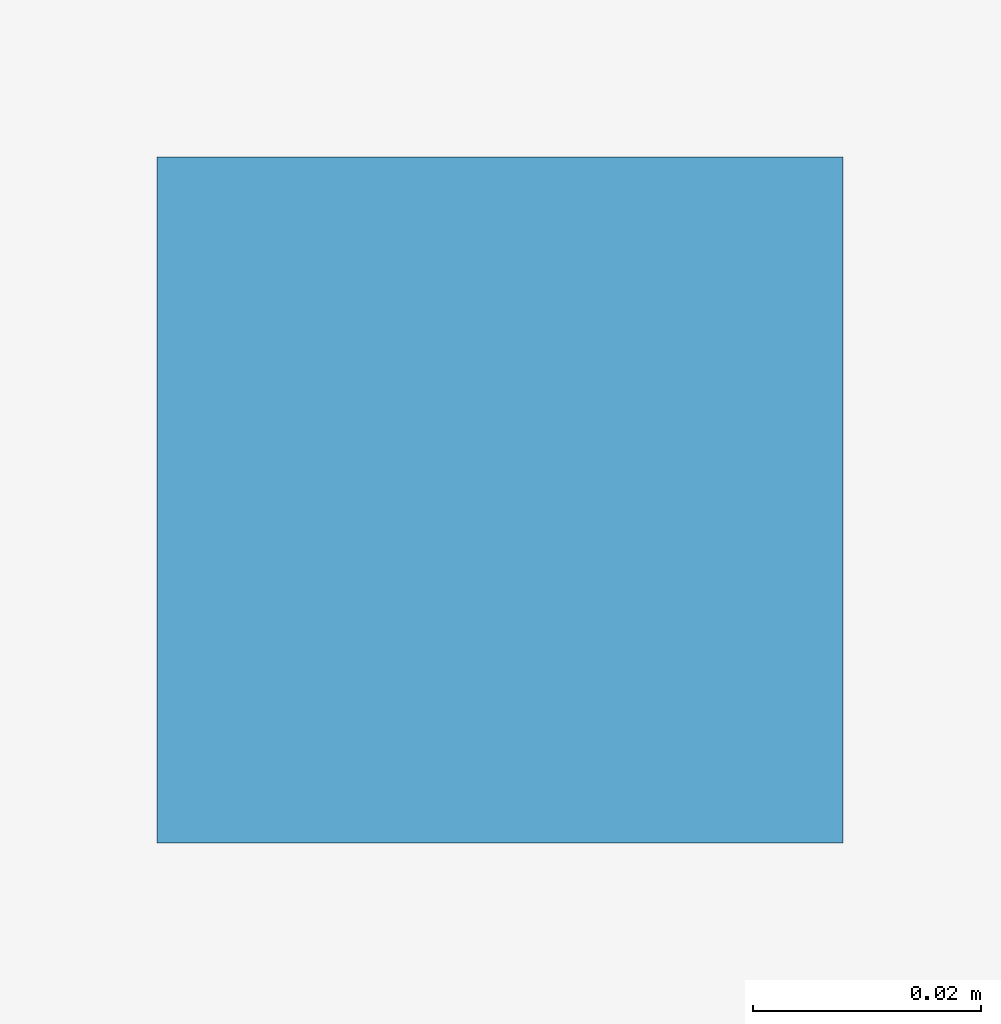
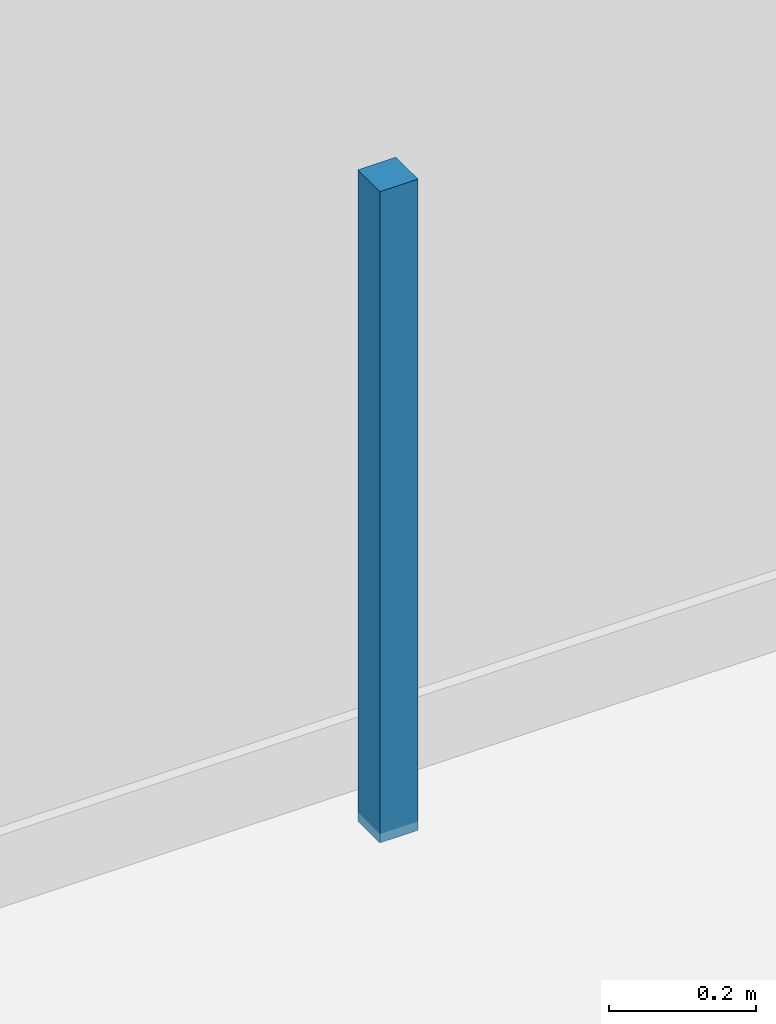
# One storey, part 78 of 91: 1 discrete accessory.
"""IFC4 building model written with IfcOpenShell, lengths in metres."""

from ifc_helpers import new_model, si_unit, direction, frame, origin, origin_2d, place, context, subcontext, project, spatial, rectangle, extrude, material, type_object, element, save


model = new_model("IFC4")

# Units and contexts
model_context = context("Model", 3, precision=1e-05, world=origin(), true_north=direction((0.0, 1.0)))
body_context = subcontext(model_context, "Body", "Model", "MODEL_VIEW")
ifc_project = project(units=[si_unit("LENGTHUNIT", "METRE"), si_unit("AREAUNIT", "SQUARE_METRE"), si_unit("VOLUMEUNIT", "CUBIC_METRE"), si_unit("PLANEANGLEUNIT", "RADIAN"), si_unit("MASSUNIT", "GRAM", prefix="KILO")], contexts=[model_context])

# Site, building, storey
site_placement = place(None, origin())
site = spatial("IfcSite", under=ifc_project, at=site_placement, CompositionType="ELEMENT")
building_placement = place(site_placement, origin())
building = spatial("IfcBuilding", under=site, at=building_placement, Name="Kangsadwip Square Police Headquarters", CompositionType="ELEMENT")
storey_placement = place(building_placement, frame((0.0, 0.0, 13.5)))
storey = spatial("IfcBuildingStorey", under=building, at=storey_placement, Name="L03", CompositionType="ELEMENT", Elevation=13.5)

# Discrete accessory
ifc_material = material(Name="Structural steel IS 2062 E350 (Grade 350, 350 MPa)", Category="steel")
discrete_accessory_type = type_object("IfcDiscreteAccessoryType", Name="VeilOutriggerBracket", PredefinedType="BRACKET", material=ifc_material)
discrete_accessory_placement = place(storey_placement, frame((119.324951171875, 32.39990234375, 2.81005859375), z_axis=(0.0, 0.0, 1.0), x_axis=(1.0, 0.0, 0.0)))
element("IfcDiscreteAccessory", 1, at=discrete_accessory_placement, inside=storey, type_object=discrete_accessory_type, Name="Ceiling Suspension Hanger L03-108", PredefinedType="BRACKET", context=body_context, shape_type="SweptSolid", body=[
    extrude(rectangle(XDim=0.06005859375, YDim=0.06005859375, at=origin_2d()), origin(), (0.0, 0.0, 1.0), 1.080078125),
])

save(model, "model.ifc")
